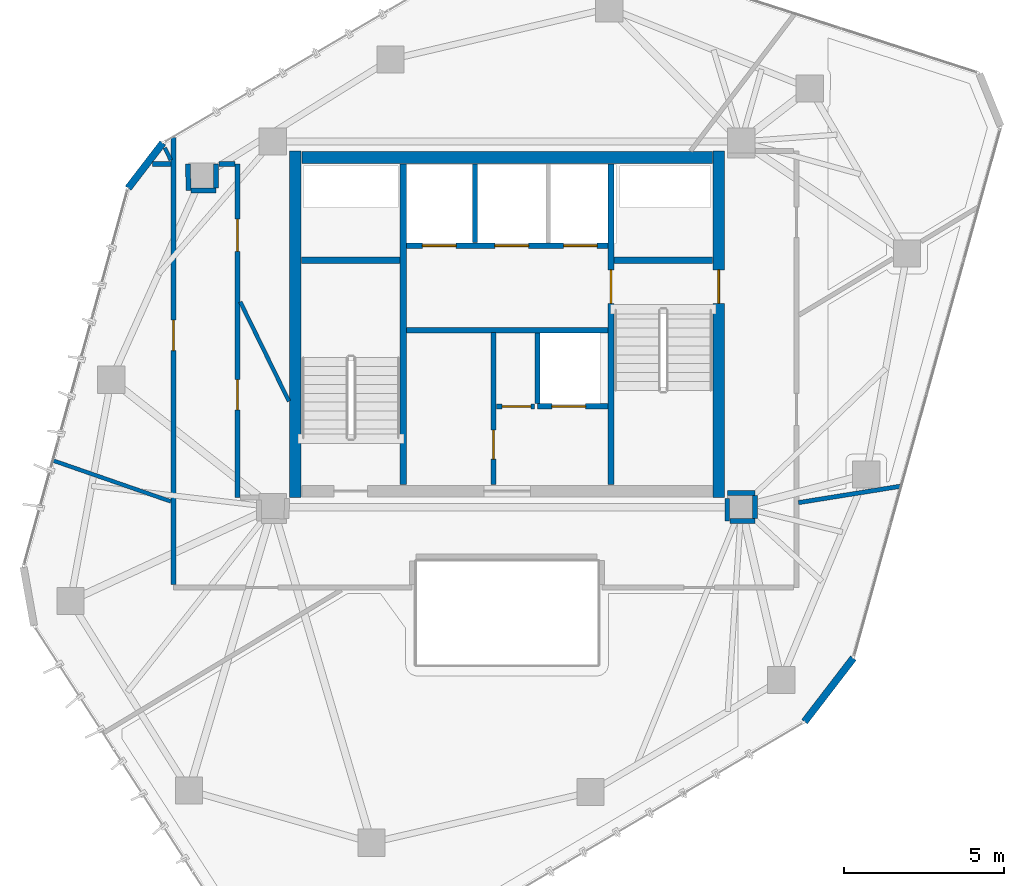
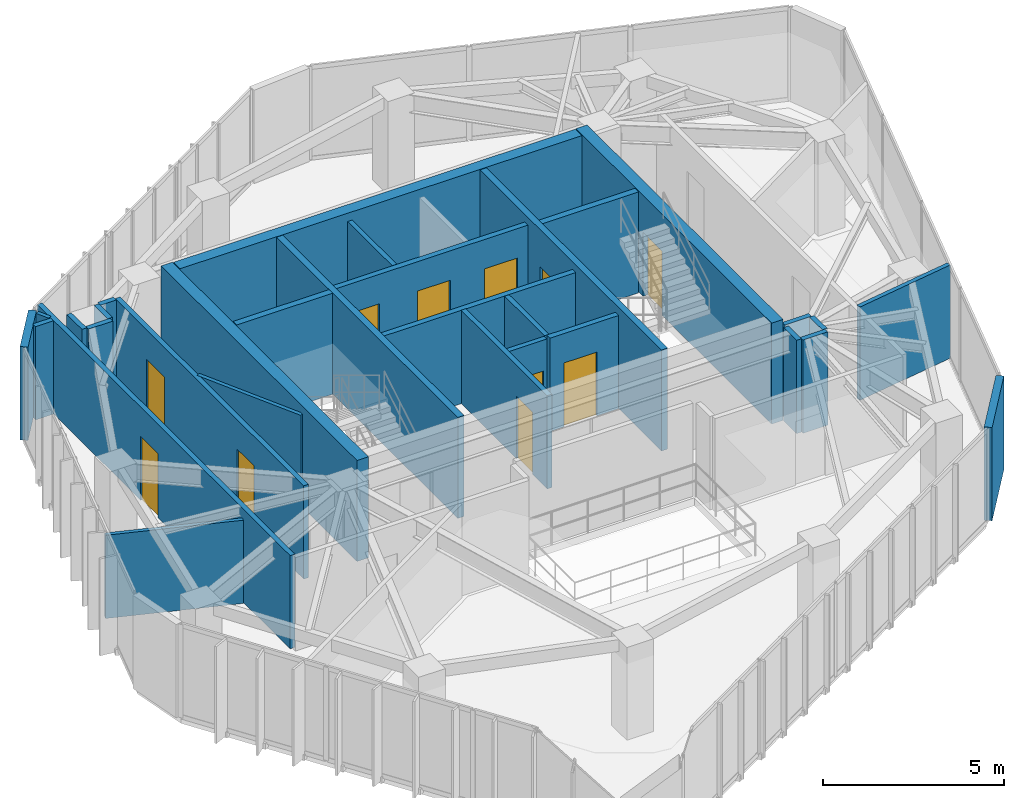
# One storey, part 17 of 20: 31 walls, 11 doors, 11 openings.
"""IFC4 building model written with IfcOpenShell, lengths in metres."""

from ifc_helpers import new_model, si_unit, direction, frame, frame_2d, origin, place, context, subcontext, project, spatial, rectangle, extrude, source, transform, mapped, material, layer, layer_set, type_object, type_shapes, element, fill, save


model = new_model("IFC4")

# Units and contexts
model_context = context("Model", 3, precision=1e-05, world=origin(), true_north=direction((0.0, 1.0)))
body_context = subcontext(model_context, "Body", "Model", "MODEL_VIEW")
ifc_project = project(units=[si_unit("LENGTHUNIT", "METRE"), si_unit("AREAUNIT", "SQUARE_METRE"), si_unit("VOLUMEUNIT", "CUBIC_METRE"), si_unit("PLANEANGLEUNIT", "RADIAN"), si_unit("MASSUNIT", "GRAM", prefix="KILO")], contexts=[model_context])

# Site, building, storey
site_placement = place(None, origin())
site = spatial("IfcSite", under=ifc_project, at=site_placement, CompositionType="ELEMENT")
building_placement = place(site_placement, origin())
building = spatial("IfcBuilding", under=site, at=building_placement, Name="Talar Marvaseh", CompositionType="ELEMENT")
storey_placement = place(building_placement, frame((0.0, 0.0, 254.39990234375)))
storey = spatial("IfcBuildingStorey", under=building, at=storey_placement, Name="L67", CompositionType="ELEMENT", Elevation=254.39990234375)

# Walls
ifc_material_1 = material(Name="Precast concrete C45/55", Category="concrete")
ifc_layer_1 = layer(ifc_material_1, 0.22509765625)
ifc_layer_set_1 = layer_set([ifc_layer_1], Name="Precast concrete C45/55")
wall_type_1 = type_object("IfcWallType", Name="Chamfered Hexagonal Corner Pier Wall Z4 225", PredefinedType="SOLIDWALL", material=ifc_layer_set_1)
wall_1_placement = place(storey_placement, frame((14.18701171875, 35.442138671875, 0.0), z_axis=(0.0, 0.0, 1.0), x_axis=(0.608782662784, 0.793337046591, 0.0)))
element("IfcWall", 1, at=wall_1_placement, inside=storey, type_object=wall_type_1, Name="L67 Chamfered Corner Limestone Pier 3", PredefinedType="SOLIDWALL", context=body_context, shape_type="SweptSolid", body=[
    extrude(rectangle(XDim=1.780517578125, YDim=0.22509765625, at=frame_2d((0.89013671875, 0.0))), origin(), (0.0, 0.0, 1.0), 3.14013671875),
])
wall_2_placement = place(storey_placement, frame((36.795166015625, 20.793701171875, 0.0), z_axis=(0.0, 0.0, 1.0), x_axis=(-0.60870597191, -0.79339589094, 0.0)))
element("IfcWall", 2, at=wall_2_placement, inside=storey, type_object=wall_type_1, Name="L67 Chamfered Corner Limestone Pier 6", PredefinedType="SOLIDWALL", context=body_context, shape_type="SweptSolid", body=[
    extrude(rectangle(XDim=2.50244140625, YDim=0.22509765625, at=frame_2d((1.251220703125, 0.0))), origin(), (0.0, 0.0, 1.0), 3.14013671875),
])

# Wall, opening, door
ifc_material_2 = material(Name="Gypsum Board Partition Assembly")
ifc_layer_2 = layer(ifc_material_2, 0.155029296875)
ifc_layer_set_2 = layer_set([ifc_layer_2], Name="Gypsum Board Partition Assembly")
wall_type_2 = type_object("IfcWallType", Name="Corridor Fire-Rated Acoustic Partition 155", PredefinedType="PARTITIONING", material=ifc_layer_set_2)
wall_3_placement = place(storey_placement, frame((25.580078125, 26.199951171875, 0.0), z_axis=(0.0, 0.0, 1.0), x_axis=(0.0, 1.0, 0.0)))
wall_3 = element("IfcWall", 3, at=wall_3_placement, inside=storey, type_object=wall_type_2, Name="L67 Core BOH Partition", PredefinedType="PARTITIONING", context=body_context, shape_type="SweptSolid", body=[
    extrude(rectangle(XDim=4.739990234375, YDim=0.155029296875, at=frame_2d((2.3701171875, 0.0))), origin(), (0.0, 0.0, 1.0), 3.14013671875),
])
opening_1_placement = place(wall_3_placement, frame((0.800048828125, 0.0, 0.0)))
opening_1 = element("IfcOpeningElement", 4, at=opening_1_placement, cuts=wall_3, Name="Opening DR-BOH090", PredefinedType="OPENING", context=body_context, shape_type="SweptSolid", body=[
    extrude(rectangle(XDim=0.89990234375, YDim=2.10009765625, at=frame_2d((0.449951171875, 1.050048828125))), frame((0.0, 0.08740234375, 0.0), z_axis=(0.0, -1.0, 0.0), x_axis=(1.0, 0.0, 0.0)), (0.0, 0.0, 1.0), 0.175048828125),
])
ifc_material_3 = material(Name="Fire-Rated Steel Door Leaf", Category="steel")
door_type_1 = type_object("IfcDoorType", Name="Core Back-of-House Service Door 900x2100", OperationType="NOTDEFINED", PredefinedType="DOOR", material=ifc_material_3)
shared_shape_1 = source(origin(), body_context, "Body", "SweptSolid", [
    extrude(rectangle(XDim=0.89990234375, YDim=2.10009765625, at=frame_2d((0.449951171875, 1.050048828125))), frame((0.0, 0.02490234375, 0.0), z_axis=(0.0, -1.0, 0.0), x_axis=(1.0, 0.0, 0.0)), (0.0, 0.0, 1.0), 0.050048828125),
])
type_shapes(door_type_1, [shared_shape_1])
door_1_placement = place(opening_1_placement, origin())
door_1 = element("IfcDoor", 5, at=door_1_placement, inside=storey, type_object=door_type_1, Name="L67 Store Sky Extended Archive Room Door", OperationType="SINGLE_SWING_LEFT", OverallHeight=2.10009765625, OverallWidth=0.89990234375, PredefinedType="DOOR", context=body_context, shape_type="MappedRepresentation", body=[
    mapped(shared_shape_1, transform((0.0, 0.0, 0.0), x_axis=(1.0, 0.0, 0.0), y_axis=(0.0, 1.0, 0.0), z_axis=(0.0, 0.0, 1.0), scale=1.0)),
])
fill(opening_1, door_1)

wall_4_placement = place(storey_placement, frame((25.66357421875, 28.639892578125, 0.0), z_axis=(0.0, 0.0, 1.0), x_axis=(1.0, 0.0, 0.0)))
wall_4 = element("IfcWall", 6, at=wall_4_placement, inside=storey, type_object=wall_type_2, Name="L67 Core BOH Partition", PredefinedType="PARTITIONING", context=body_context, shape_type="SweptSolid", body=[
    extrude(rectangle(XDim=1.196533203125, YDim=0.155029296875, at=frame_2d((0.59814453125, 0.0))), origin(), (0.0, 0.0, 1.0), 3.14013671875),
])
opening_2_placement = place(wall_4_placement, frame((0.179931640625, 0.0, 0.0)))
opening_2 = element("IfcOpeningElement", 7, at=opening_2_placement, cuts=wall_4, Name="Opening DR-BOH090", PredefinedType="OPENING", context=body_context, shape_type="SweptSolid", body=[
    extrude(rectangle(XDim=0.89990234375, YDim=2.10009765625, at=frame_2d((0.449951171875, 1.050048828125))), frame((0.0, 0.08740234375, 0.0), z_axis=(0.0, -1.0, 0.0), x_axis=(1.0, 0.0, 0.0)), (0.0, 0.0, 1.0), 0.175048828125),
])
door_2_placement = place(opening_2_placement, origin())
door_2 = element("IfcDoor", 8, at=door_2_placement, inside=storey, type_object=door_type_1, Name="L67 Cleaner Sky Closet Door", OperationType="SINGLE_SWING_RIGHT", OverallHeight=2.10009765625, OverallWidth=0.89990234375, PredefinedType="DOOR", context=body_context, shape_type="MappedRepresentation", body=[
    mapped(shared_shape_1, transform((0.0, 0.0, 0.0), x_axis=(1.0, 0.0, 0.0), y_axis=(0.0, 1.0, 0.0), z_axis=(0.0, 0.0, 1.0), scale=1.0)),
])
fill(opening_2, door_2)

# Wall, openings, doors
wall_5_placement = place(storey_placement, frame((17.60009765625, 36.199951171875, 0.0), z_axis=(0.0, 0.0, 1.0), x_axis=(0.0, -1.0, 0.0)))
wall_5 = element("IfcWall", 9, at=wall_5_placement, inside=storey, type_object=wall_type_2, Name="L67 Interior Partition Wall", PredefinedType="PARTITIONING", context=body_context, shape_type="SweptSolid", body=[
    extrude(rectangle(XDim=10.39990234375, YDim=0.155029296875, at=frame_2d((5.199951171875, 0.0))), origin(), (0.0, 0.0, 1.0), 3.14013671875),
])
opening_3_placement = place(wall_5_placement, frame((1.72509765625, 0.0, 0.0)))
opening_3 = element("IfcOpeningElement", 10, at=opening_3_placement, cuts=wall_5, Name="Opening DR-RM100", PredefinedType="OPENING", context=body_context, shape_type="SweptSolid", body=[
    extrude(rectangle(XDim=1.0, YDim=2.14990234375, at=frame_2d((0.5, 1.074951171875))), frame((0.0, 0.08740234375, 0.0), z_axis=(0.0, -1.0, 0.0), x_axis=(1.0, 0.0, 0.0)), (0.0, 0.0, 1.0), 0.175048828125),
])
opening_4_placement = place(wall_5_placement, frame((6.720947265625, 0.0, 0.0)))
opening_4 = element("IfcOpeningElement", 11, at=opening_4_placement, cuts=wall_5, Name="Opening DR-WC095", PredefinedType="OPENING", context=body_context, shape_type="SweptSolid", body=[
    extrude(rectangle(XDim=0.949951171875, YDim=2.14990234375, at=frame_2d((0.47509765625, 1.074951171875))), frame((0.0, 0.08740234375, 0.0), z_axis=(0.0, -1.0, 0.0), x_axis=(1.0, 0.0, 0.0)), (0.0, 0.0, 1.0), 0.175048828125),
])
ifc_material_4 = material(Name="Acoustic Engineered Oak Timber", Category="wood")
door_type_2 = type_object("IfcDoorType", Name="Washroom and Service Room Door 950x2150", OperationType="NOTDEFINED", PredefinedType="DOOR", material=ifc_material_4)
shared_shape_2 = source(origin(), body_context, "Body", "SweptSolid", [
    extrude(rectangle(XDim=0.949951171875, YDim=2.14990234375, at=frame_2d((0.47509765625, 1.074951171875))), frame((0.0, 0.02490234375, 0.0), z_axis=(0.0, -1.0, 0.0), x_axis=(1.0, 0.0, 0.0)), (0.0, 0.0, 1.0), 0.050048828125),
])
type_shapes(door_type_2, [shared_shape_2])
door_3_placement = place(opening_4_placement, origin())
door_3 = element("IfcDoor", 12, at=door_3_placement, inside=storey, type_object=door_type_2, Name="L67 WC Public Washrooms Door", OperationType="SINGLE_SWING_RIGHT", OverallHeight=2.14990234375, OverallWidth=0.949951171875, PredefinedType="DOOR", context=body_context, shape_type="MappedRepresentation", body=[
    mapped(shared_shape_2, transform((0.0, 0.0, 0.0), x_axis=(1.0, 0.0, 0.0), y_axis=(0.0, 1.0, 0.0), z_axis=(0.0, 0.0, 1.0), scale=1.0)),
])
fill(opening_4, door_3)
door_type_3 = type_object("IfcDoorType", Name="Corridor Fire-Rated Gallery Door 1000x2150", OperationType="NOTDEFINED", PredefinedType="DOOR", material=ifc_material_4)
shared_shape_3 = source(origin(), body_context, "Body", "SweptSolid", [
    extrude(rectangle(XDim=1.0, YDim=2.14990234375, at=frame_2d((0.5, 1.074951171875))), frame((0.0, 0.02490234375, 0.0), z_axis=(0.0, -1.0, 0.0), x_axis=(1.0, 0.0, 0.0)), (0.0, 0.0, 1.0), 0.050048828125),
])
type_shapes(door_type_3, [shared_shape_3])
door_4_placement = place(opening_3_placement, origin())
door_4 = element("IfcDoor", 13, at=door_4_placement, inside=storey, type_object=door_type_3, Name="L67 Archival Facsimile Boutique Door", OperationType="SINGLE_SWING_RIGHT", OverallHeight=2.14990234375, OverallWidth=1.0, PredefinedType="DOOR", context=body_context, shape_type="MappedRepresentation", body=[
    mapped(shared_shape_3, transform((0.0, 0.0, 0.0), x_axis=(1.0, 0.0, 0.0), y_axis=(0.0, 1.0, 0.0), z_axis=(0.0, 0.0, 1.0), scale=1.0)),
])
fill(opening_3, door_4)

# Wall, opening, door
wall_6_placement = place(storey_placement, frame((15.60009765625, 23.08349609375, 0.0), z_axis=(0.0, 0.0, 1.0), x_axis=(0.0, 1.0, 0.0)))
wall_6 = element("IfcWall", 14, at=wall_6_placement, inside=storey, type_object=wall_type_2, Name="L67 Interior Partition Wall", PredefinedType="PARTITIONING", context=body_context, shape_type="SweptSolid", body=[
    extrude(rectangle(XDim=13.94482421875, YDim=0.155029296875, at=frame_2d((6.972412109375, 0.0))), origin(), (0.0, 0.0, 1.0), 3.14013671875),
])
opening_5_placement = place(wall_6_placement, frame((7.2978515625, 0.0, 0.0)))
opening_5 = element("IfcOpeningElement", 15, at=opening_5_placement, cuts=wall_6, Name="Opening DR-WC095", PredefinedType="OPENING", context=body_context, shape_type="SweptSolid", body=[
    extrude(rectangle(XDim=0.949951171875, YDim=2.14990234375, at=frame_2d((0.47509765625, 1.074951171875))), frame((0.0, 0.08740234375, 0.0), z_axis=(0.0, -1.0, 0.0), x_axis=(1.0, 0.0, 0.0)), (0.0, 0.0, 1.0), 0.175048828125),
])
door_5_placement = place(opening_5_placement, origin())
door_5 = element("IfcDoor", 16, at=door_5_placement, inside=storey, type_object=door_type_2, Name="L67 Accessible WC Door", OperationType="SINGLE_SWING_LEFT", OverallHeight=2.14990234375, OverallWidth=0.949951171875, PredefinedType="DOOR", context=body_context, shape_type="MappedRepresentation", body=[
    mapped(shared_shape_2, transform((0.0, 0.0, 0.0), x_axis=(1.0, 0.0, 0.0), y_axis=(0.0, 1.0, 0.0), z_axis=(0.0, 0.0, 1.0), scale=1.0)),
])
fill(opening_5, door_5)

# Walls
wall_7_placement = place(storey_placement, frame((16.053955078125, 36.199951171875, 0.0), z_axis=(0.0, 0.0, 1.0), x_axis=(0.018168161375, -0.999834945335, 0.0)))
element("IfcWall", 17, at=wall_7_placement, inside=storey, type_object=wall_type_2, Name="L67 Interior Partition Wall", PredefinedType="PARTITIONING", context=body_context, shape_type="SweptSolid", body=[
    extrude(rectangle(XDim=0.833251953125, YDim=0.155029296875, at=frame_2d((0.41650390625, 0.0))), origin(), (0.0, 0.0, 1.0), 3.14013671875),
])
wall_8_placement = place(storey_placement, frame((16.152587890625, 35.3671875, 0.0), z_axis=(0.0, 0.0, 1.0), x_axis=(0.999997558852, 0.002209590566, 0.0)))
element("IfcWall", 18, at=wall_8_placement, inside=storey, type_object=wall_type_2, Name="L67 Interior Partition Wall", PredefinedType="PARTITIONING", context=body_context, shape_type="SweptSolid", body=[
    extrude(rectangle(XDim=0.7734375, YDim=0.155029296875, at=frame_2d((0.38671875, 0.0))), origin(), (0.0, 0.0, 1.0), 3.14013671875),
])
wall_9_placement = place(storey_placement, frame((16.927001953125, 35.452392578125, 0.0), z_axis=(0.0, 0.0, 1.0), x_axis=(0.009470509294, 0.999955153721, 0.0)))
element("IfcWall", 19, at=wall_9_placement, inside=storey, type_object=wall_type_2, Name="L67 Interior Partition Wall", PredefinedType="PARTITIONING", context=body_context, shape_type="SweptSolid", body=[
    extrude(rectangle(XDim=0.74755859375, YDim=0.155029296875, at=frame_2d((0.373779296875, 0.0))), origin(), (0.0, 0.0, 1.0), 3.14013671875),
])
wall_10_placement = place(storey_placement, frame((17.017578125, 36.199951171875, 0.0), z_axis=(0.0, 0.0, 1.0), x_axis=(1.0, 0.0, 0.0)))
element("IfcWall", 20, at=wall_10_placement, inside=storey, type_object=wall_type_2, Name="L67 Interior Partition Wall", PredefinedType="PARTITIONING", context=body_context, shape_type="SweptSolid", body=[
    extrude(rectangle(XDim=0.4990234375, YDim=0.155029296875, at=frame_2d((0.24951171875, 0.0))), origin(), (0.0, 0.0, 1.0), 3.14013671875),
])
wall_11_placement = place(storey_placement, frame((14.9453125, 36.199951171875, 0.0), z_axis=(0.0, 0.0, 1.0), x_axis=(1.0, 0.0, 0.0)))
element("IfcWall", 21, at=wall_11_placement, inside=storey, type_object=wall_type_2, Name="L67 Interior Partition Wall", PredefinedType="PARTITIONING", context=body_context, shape_type="SweptSolid", body=[
    extrude(rectangle(XDim=0.5712890625, YDim=0.155029296875, at=frame_2d((0.28564453125, 0.0))), origin(), (0.0, 0.0, 1.0), 3.14013671875),
])
wall_12_placement = place(storey_placement, frame((33.72509765625, 25.93994140625, 0.0), z_axis=(0.0, 0.0, 1.0), x_axis=(-0.999986790873, -0.005139852152, 0.0)))
element("IfcWall", 22, at=wall_12_placement, inside=storey, type_object=wall_type_2, Name="L67 Interior Partition Wall", PredefinedType="PARTITIONING", context=body_context, shape_type="SweptSolid", body=[
    extrude(rectangle(XDim=0.85498046875, YDim=0.155029296875, at=frame_2d((0.427490234375, 0.0))), origin(), (0.0, 0.0, 1.0), 3.14013671875),
])
wall_13_placement = place(storey_placement, frame((32.864501953125, 25.772705078125, 0.0), z_axis=(0.0, 0.0, 1.0), x_axis=(0.0, -1.0, 0.0)))
element("IfcWall", 23, at=wall_13_placement, inside=storey, type_object=wall_type_2, Name="L67 Interior Partition Wall", PredefinedType="PARTITIONING", context=body_context, shape_type="SweptSolid", body=[
    extrude(rectangle(XDim=0.708251953125, YDim=0.155029296875, at=frame_2d((0.35400390625, 0.0))), origin(), (0.0, 0.0, 1.0), 3.14013671875),
])
wall_14_placement = place(storey_placement, frame((32.947998046875, 25.064453125, 0.0), z_axis=(0.0, 0.0, 1.0), x_axis=(1.0, 0.0, 0.0)))
element("IfcWall", 24, at=wall_14_placement, inside=storey, type_object=wall_type_2, Name="L67 Interior Partition Wall", PredefinedType="PARTITIONING", context=body_context, shape_type="SweptSolid", body=[
    extrude(rectangle(XDim=0.78759765625, YDim=0.155029296875, at=frame_2d((0.393798828125, 0.0))), origin(), (0.0, 0.0, 1.0), 3.14013671875),
])
wall_15_placement = place(storey_placement, frame((33.734619140625, 25.14794921875, 0.0), z_axis=(0.0, 0.0, 1.0), x_axis=(-0.012059770759, 0.99992727832, 0.0)))
element("IfcWall", 25, at=wall_15_placement, inside=storey, type_object=wall_type_2, Name="L67 Interior Partition Wall", PredefinedType="PARTITIONING", context=body_context, shape_type="SweptSolid", body=[
    extrude(rectangle(XDim=0.70849609375, YDim=0.155029296875, at=frame_2d((0.354248046875, 0.0))), origin(), (0.0, 0.0, 1.0), 3.14013671875),
])
ifc_layer_3 = layer(ifc_material_2, 0.1201171875)
ifc_layer_set_3 = layer_set([ifc_layer_3], Name="Gypsum Board Partition Assembly")
wall_type_3 = type_object("IfcWallType", Name="Demountable Studio Room Partition 120", PredefinedType="PARTITIONING", material=ifc_layer_set_3)
wall_16_placement = place(storey_placement, frame((11.863525390625, 26.94775390625, 0.0), z_axis=(0.0, 0.0, 1.0), x_axis=(0.944644045186, -0.328096979405, 0.0)))
element("IfcWall", 26, at=wall_16_placement, inside=storey, type_object=wall_type_3, Name="L67 Interior Partition Wall", PredefinedType="PARTITIONING", context=body_context, shape_type="SweptSolid", body=[
    extrude(rectangle(XDim=3.8671875, YDim=0.1201171875, at=frame_2d((1.93359375, 0.0))), origin(), (0.0, 0.0, 1.0), 2.802001953125),
])
wall_17_placement = place(storey_placement, frame((15.5166015625, 36.320556640625, 0.0), z_axis=(0.0, 0.0, 1.0), x_axis=(-0.439991812782, 0.898001784344, 0.0)))
element("IfcWall", 27, at=wall_17_placement, inside=storey, type_object=wall_type_3, Name="L67 Interior Partition Wall", PredefinedType="PARTITIONING", context=body_context, shape_type="SweptSolid", body=[
    extrude(rectangle(XDim=0.419921875, YDim=0.1201171875, at=frame_2d((0.2099609375, 0.0))), origin(), (0.0, 0.0, 1.0), 3.14013671875),
])
wall_18_placement = place(storey_placement, frame((19.199951171875, 28.800048828125, 0.0), z_axis=(0.0, 0.0, 1.0), x_axis=(-0.439470269492, 0.898257135921, 0.0)))
element("IfcWall", 28, at=wall_18_placement, inside=storey, type_object=wall_type_3, Name="L67 Interior Partition Wall", PredefinedType="PARTITIONING", context=body_context, shape_type="SweptSolid", body=[
    extrude(rectangle(XDim=3.450439453125, YDim=0.1201171875, at=frame_2d((1.72509765625, 0.0))), origin(), (0.0, 0.0, 1.0), 3.14013671875),
])
ifc_layer_4 = layer(ifc_material_1, 0.14501953125)
ifc_layer_set_4 = layer_set([ifc_layer_4], Name="Precast concrete C45/55")
wall_type_4 = type_object("IfcWallType", Name="Fire-Rated Lift Divider Wall 145", PredefinedType="SOLIDWALL", material=ifc_layer_set_4)
wall_19_placement = place(storey_placement, frame((25.0, 33.743408203125, 0.0), z_axis=(0.0, 0.0, 1.0), x_axis=(0.0, 1.0, 0.0)))
element("IfcWall", 29, at=wall_19_placement, inside=storey, type_object=wall_type_4, Name="L67 FFL-1/FFL-2 Divider", PredefinedType="SOLIDWALL", context=body_context, shape_type="SweptSolid", body=[
    extrude(rectangle(XDim=2.45654296875, YDim=0.14501953125, at=frame_2d((1.228271484375, 0.0))), origin(), (0.0, 0.0, 1.0), 3.14013671875),
])
wall_20_placement = place(storey_placement, frame((26.949951171875, 28.7333984375, 0.0), z_axis=(0.0, 0.0, 1.0), x_axis=(0.0, 1.0, 0.0)))
element("IfcWall", 30, at=wall_20_placement, inside=storey, type_object=wall_type_4, Name="L67 PL-H3 West Shaft Wall", PredefinedType="SOLIDWALL", context=body_context, shape_type="SweptSolid", body=[
    extrude(rectangle(XDim=2.193115234375, YDim=0.14501953125, at=frame_2d((1.0966796875, 0.0))), origin(), (0.0, 0.0, 1.0), 3.14013671875),
])

# Wall, openings, doors
ifc_layer_5 = layer(ifc_material_1, 0.175048828125)
ifc_layer_set_5 = layer_set([ifc_layer_5], Name="Precast concrete C45/55")
wall_type_5 = type_object("IfcWallType", Name="Fire-Rated Lift Hoistway Enclosure Wall 175", PredefinedType="SOLIDWALL", material=ifc_layer_set_5)
wall_21_placement = place(storey_placement, frame((22.860107421875, 33.64990234375, 0.0), z_axis=(0.0, 0.0, 1.0), x_axis=(1.0, 0.0, 0.0)))
wall_21 = element("IfcWall", 31, at=wall_21_placement, inside=storey, type_object=wall_type_5, Name="L67 Firefighting and Service Lift Front Wall", PredefinedType="SOLIDWALL", context=body_context, shape_type="SweptSolid", body=[
    extrude(rectangle(XDim=6.27978515625, YDim=0.175048828125, at=frame_2d((3.139892578125, 0.0))), origin(), (0.0, 0.0, 1.0), 3.14013671875),
])
opening_6_placement = place(wall_21_placement, frame((0.5, 0.0, 0.0)))
opening_6 = element("IfcOpeningElement", 32, at=opening_6_placement, cuts=wall_21, Name="Opening LD-FF1", PredefinedType="OPENING", context=body_context, shape_type="SweptSolid", body=[
    extrude(rectangle(XDim=1.050048828125, YDim=2.14990234375, at=frame_2d((0.52490234375, 1.074951171875))), frame((0.0, 0.09765625, 0.0), z_axis=(0.0, -1.0, 0.0), x_axis=(1.0, 0.0, 0.0)), (0.0, 0.0, 1.0), 0.195068359375),
])
opening_7_placement = place(wall_21_placement, frame((2.760009765625, 0.0, 0.0)))
opening_7 = element("IfcOpeningElement", 33, at=opening_7_placement, cuts=wall_21, Name="Opening LD-FF2", PredefinedType="OPENING", context=body_context, shape_type="SweptSolid", body=[
    extrude(rectangle(XDim=1.050048828125, YDim=2.14990234375, at=frame_2d((0.52490234375, 1.074951171875))), frame((0.0, 0.09765625, 0.0), z_axis=(0.0, -1.0, 0.0), x_axis=(1.0, 0.0, 0.0)), (0.0, 0.0, 1.0), 0.195068359375),
])
opening_8_placement = place(wall_21_placement, frame((4.89990234375, 0.0, 0.0)))
opening_8 = element("IfcOpeningElement", 34, at=opening_8_placement, cuts=wall_21, Name="Opening LD-SV1", PredefinedType="OPENING", context=body_context, shape_type="SweptSolid", body=[
    extrude(rectangle(XDim=1.050048828125, YDim=2.14990234375, at=frame_2d((0.52490234375, 1.074951171875))), frame((0.0, 0.09765625, 0.0), z_axis=(0.0, -1.0, 0.0), x_axis=(1.0, 0.0, 0.0)), (0.0, 0.0, 1.0), 0.195068359375),
])
ifc_material_5 = material(Name="Stainless Steel Grade 316", Category="steel")
door_type_4 = type_object("IfcDoorType", Name="Automatic Sliding Lift Landing Door 1050x2150", OperationType="NOTDEFINED", PredefinedType="DOOR", material=ifc_material_5)
shared_shape_4 = source(origin(), body_context, "Body", "SweptSolid", [
    extrude(rectangle(XDim=1.050048828125, YDim=2.14990234375, at=frame_2d((0.52490234375, 1.074951171875))), frame((0.0, 0.02490234375, 0.0), z_axis=(0.0, -1.0, 0.0), x_axis=(1.0, 0.0, 0.0)), (0.0, 0.0, 1.0), 0.050048828125),
])
type_shapes(door_type_4, [shared_shape_4])
door_6_placement = place(opening_6_placement, origin())
door_6 = element("IfcDoor", 35, at=door_6_placement, inside=storey, type_object=door_type_4, Name="L67 Lift FFL-1 Sliding Landing Door", OperationType="SLIDING_TO_LEFT", OverallHeight=2.14990234375, OverallWidth=1.050048828125, PredefinedType="DOOR", context=body_context, shape_type="MappedRepresentation", body=[
    mapped(shared_shape_4, transform((0.0, 0.0, 0.0), x_axis=(1.0, 0.0, 0.0), y_axis=(0.0, 1.0, 0.0), z_axis=(0.0, 0.0, 1.0), scale=1.0)),
])
fill(opening_6, door_6)
door_7_placement = place(opening_7_placement, origin())
door_7 = element("IfcDoor", 36, at=door_7_placement, inside=storey, type_object=door_type_4, Name="L67 Lift FFL-2 Sliding Landing Door", OperationType="SLIDING_TO_LEFT", OverallHeight=2.14990234375, OverallWidth=1.050048828125, PredefinedType="DOOR", context=body_context, shape_type="MappedRepresentation", body=[
    mapped(shared_shape_4, transform((0.0, 0.0, 0.0), x_axis=(1.0, 0.0, 0.0), y_axis=(0.0, 1.0, 0.0), z_axis=(0.0, 0.0, 1.0), scale=1.0)),
])
fill(opening_7, door_7)
door_8_placement = place(opening_8_placement, origin())
door_8 = element("IfcDoor", 37, at=door_8_placement, inside=storey, type_object=door_type_4, Name="L67 Lift SVL-1 Sliding Landing Door", OperationType="SLIDING_TO_LEFT", OverallHeight=2.14990234375, OverallWidth=1.050048828125, PredefinedType="DOOR", context=body_context, shape_type="MappedRepresentation", body=[
    mapped(shared_shape_4, transform((0.0, 0.0, 0.0), x_axis=(1.0, 0.0, 0.0), y_axis=(0.0, 1.0, 0.0), z_axis=(0.0, 0.0, 1.0), scale=1.0)),
])
fill(opening_8, door_8)

# Wall
wall_22_placement = place(storey_placement, frame((22.860107421875, 31.02001953125, 0.0), z_axis=(0.0, 0.0, 1.0), x_axis=(1.0, 0.0, 0.0)))
element("IfcWall", 38, at=wall_22_placement, inside=storey, type_object=wall_type_5, Name="L67 Firefighting Lobby South Smoke Wall", PredefinedType="SOLIDWALL", context=body_context, shape_type="SweptSolid", body=[
    extrude(rectangle(XDim=6.27978515625, YDim=0.175048828125, at=frame_2d((3.139892578125, 0.0))), origin(), (0.0, 0.0, 1.0), 3.14013671875),
])

# Wall, opening, door
wall_23_placement = place(storey_placement, frame((26.949951171875, 28.639892578125, 0.0), z_axis=(0.0, 0.0, 1.0), x_axis=(1.0, 0.0, 0.0)))
wall_23 = element("IfcWall", 39, at=wall_23_placement, inside=storey, type_object=wall_type_5, Name="L67 Sky Express Lift Front Wall", PredefinedType="SOLIDWALL", context=body_context, shape_type="SweptSolid", body=[
    extrude(rectangle(XDim=2.18994140625, YDim=0.175048828125, at=frame_2d((1.094970703125, 0.0))), origin(), (0.0, 0.0, 1.0), 3.14013671875),
])
opening_9_placement = place(wall_23_placement, frame((0.449951171875, 0.0, 0.0)))
opening_9 = element("IfcOpeningElement", 40, at=opening_9_placement, cuts=wall_23, Name="Opening LD-PLH3", PredefinedType="OPENING", context=body_context, shape_type="SweptSolid", body=[
    extrude(rectangle(XDim=1.050048828125, YDim=2.14990234375, at=frame_2d((0.52490234375, 1.074951171875))), frame((0.0, 0.09765625, 0.0), z_axis=(0.0, -1.0, 0.0), x_axis=(1.0, 0.0, 0.0)), (0.0, 0.0, 1.0), 0.195068359375),
])
door_9_placement = place(opening_9_placement, origin())
door_9 = element("IfcDoor", 41, at=door_9_placement, inside=storey, type_object=door_type_4, Name="L67 Lift PL-H3 Sliding Landing Door", OperationType="SLIDING_TO_LEFT", OverallHeight=2.14990234375, OverallWidth=1.050048828125, PredefinedType="DOOR", context=body_context, shape_type="MappedRepresentation", body=[
    mapped(shared_shape_4, transform((0.0, 0.0, 0.0), x_axis=(1.0, 0.0, 0.0), y_axis=(0.0, 1.0, 0.0), z_axis=(0.0, 0.0, 1.0), scale=1.0)),
])
fill(opening_9, door_9)

# Walls
ifc_layer_6 = layer(ifc_material_2, 0.135009765625)
ifc_layer_set_6 = layer_set([ifc_layer_6], Name="Gypsum Board Partition Assembly")
wall_type_6 = type_object("IfcWallType", Name="Gallery High-Acoustic Partition 135", PredefinedType="PARTITIONING", material=ifc_layer_set_6)
wall_24_placement = place(storey_placement, frame((35.084228515625, 25.640380859375, 0.0), z_axis=(0.0, 0.0, 1.0), x_axis=(0.987346279038, 0.15857908207, 0.0)))
element("IfcWall", 42, at=wall_24_placement, inside=storey, type_object=wall_type_6, Name="L67 Interior Partition Wall", PredefinedType="PARTITIONING", context=body_context, shape_type="SweptSolid", body=[
    extrude(rectangle(XDim=3.21923828125, YDim=0.135009765625, at=frame_2d((1.609619140625, 0.0))), origin(), (0.0, 0.0, 1.0), 3.14013671875),
])
ifc_material_6 = material(Name="Concrete C50/60", Category="concrete")
ifc_layer_7 = layer(ifc_material_6, 0.199951171875)
ifc_layer_set_7 = layer_set([ifc_layer_7], Name="Concrete C50/60")
wall_type_7 = type_object("IfcWallType", Name="Stair Shaft Structural Concrete Shear Wall 200", PredefinedType="SHEAR", material=ifc_layer_set_7)
wall_25_placement = place(storey_placement, frame((22.760009765625, 26.199951171875, 0.0), z_axis=(0.0, 0.0, 1.0), x_axis=(0.0, 1.0, 0.0)))
element("IfcWall", 43, at=wall_25_placement, inside=storey, type_object=wall_type_7, Name="L67 Core West Stair Shear Wall", PredefinedType="SHEAR", context=body_context, shape_type="SweptSolid", body=[
    extrude(rectangle(XDim=10.0, YDim=0.199951171875, at=frame_2d((5.0, 0.0))), origin(), (0.0, 0.0, 1.0), 3.400146484375),
])

# Wall, opening, door
wall_26_placement = place(storey_placement, frame((29.239990234375, 26.199951171875, 0.0), z_axis=(0.0, 0.0, 1.0), x_axis=(0.0, 1.0, 0.0)))
wall_26 = element("IfcWall", 44, at=wall_26_placement, inside=storey, type_object=wall_type_7, Name="L67 Core East Stair Shear Wall", PredefinedType="SHEAR", context=body_context, shape_type="SweptSolid", body=[
    extrude(rectangle(XDim=10.0, YDim=0.199951171875, at=frame_2d((5.0, 0.0))), origin(), (0.0, 0.0, 1.0), 3.400146484375),
])
opening_10_placement = place(wall_26_placement, frame((5.64990234375, 0.0, 0.0)))
opening_10 = element("IfcOpeningElement", 45, at=opening_10_placement, cuts=wall_26, Name="Opening DR-ST105", PredefinedType="OPENING", context=body_context, shape_type="SweptSolid", body=[
    extrude(rectangle(XDim=1.050048828125, YDim=2.14990234375, at=frame_2d((0.52490234375, 1.074951171875))), frame((0.0, 0.10986328125, 0.0), z_axis=(0.0, -1.0, 0.0), x_axis=(1.0, 0.0, 0.0)), (0.0, 0.0, 1.0), 0.219970703125),
])
door_type_5 = type_object("IfcDoorType", Name="Protected Exit Stair Fire Door 1050x2150", OperationType="NOTDEFINED", PredefinedType="DOOR", material=ifc_material_3)
shared_shape_5 = source(origin(), body_context, "Body", "SweptSolid", [
    extrude(rectangle(XDim=1.050048828125, YDim=2.14990234375, at=frame_2d((0.52490234375, 1.074951171875))), frame((0.0, 0.02490234375, 0.0), z_axis=(0.0, -1.0, 0.0), x_axis=(1.0, 0.0, 0.0)), (0.0, 0.0, 1.0), 0.050048828125),
])
type_shapes(door_type_5, [shared_shape_5])
door_10_placement = place(opening_10_placement, origin())
door_10 = element("IfcDoor", 46, at=door_10_placement, inside=storey, type_object=door_type_5, Name="L67 Firefighting Lobby to Stair ST-2 Door", OperationType="SINGLE_SWING_LEFT", OverallHeight=2.14990234375, OverallWidth=1.050048828125, PredefinedType="DOOR", context=body_context, shape_type="MappedRepresentation", body=[
    mapped(shared_shape_5, transform((0.0, 0.0, 0.0), x_axis=(1.0, 0.0, 0.0), y_axis=(0.0, 1.0, 0.0), z_axis=(0.0, 0.0, 1.0), scale=1.0)),
])
fill(opening_10, door_10)

# Walls
for number, where, z_axis, x_axis, name in (
    (47, (19.60009765625, 33.199951171875, 0.0), (0.0, 0.0, 1.0), (1.0, 0.0, 0.0), "L67 Stair ST-1 North Shear Wall"),
    (48, (29.340087890625, 33.199951171875, 0.0), (0.0, 0.0, 1.0), (1.0, 0.0, 0.0), "L67 Stair ST-2 North Shear Wall"),
):
    element("IfcWall", number, at=place(storey_placement, frame(where, z_axis=z_axis, x_axis=x_axis)), inside=storey, type_object=wall_type_7, Name=name, PredefinedType="SHEAR", context=body_context, shape_type="SweptSolid", body=[
        extrude(rectangle(XDim=3.059814453125, YDim=0.199951171875, at=frame_2d((1.52978515625, 0.0))), origin(), (0.0, 0.0, 1.0), 3.400146484375),
    ])
ifc_layer_8 = layer(ifc_material_6, 0.360107421875)
ifc_layer_set_8 = layer_set([ifc_layer_8], Name="Concrete C50/60")
wall_type_8 = type_object("IfcWallType", Name="Upper Core Reinforced Concrete Shear Wall 360", PredefinedType="SHEAR", material=ifc_layer_set_8)
wall_27_placement = place(storey_placement, frame((19.39990234375, 25.800048828125, 0.0), z_axis=(0.0, 0.0, 1.0), x_axis=(0.0, 1.0, 0.0)))
element("IfcWall", 49, at=wall_27_placement, inside=storey, type_object=wall_type_8, Name="L67 West Core Shear Wall", PredefinedType="SHEAR", context=body_context, shape_type="SweptSolid", body=[
    extrude(rectangle(XDim=10.800048828125, YDim=0.360107421875, at=frame_2d((5.39990234375, 0.0))), origin(), (0.0, 0.0, 1.0), 3.400146484375),
])

# Wall, opening, door
wall_28_placement = place(storey_placement, frame((32.60009765625, 36.60009765625, 0.0), z_axis=(0.0, 0.0, 1.0), x_axis=(0.0, -1.0, 0.0)))
wall_28 = element("IfcWall", 50, at=wall_28_placement, inside=storey, type_object=wall_type_8, Name="L67 East Core Shear Wall", PredefinedType="SHEAR", context=body_context, shape_type="SweptSolid", body=[
    extrude(rectangle(XDim=10.800048828125, YDim=0.360107421875, at=frame_2d((5.39990234375, 0.0))), origin(), (0.0, 0.0, 1.0), 3.400146484375),
])
opening_11_placement = place(wall_28_placement, frame((3.699951171875, 0.0, 0.0)))
opening_11 = element("IfcOpeningElement", 51, at=opening_11_placement, cuts=wall_28, Name="Opening DR-ST105", PredefinedType="OPENING", context=body_context, shape_type="SweptSolid", body=[
    extrude(rectangle(XDim=1.050048828125, YDim=2.14990234375, at=frame_2d((0.52490234375, 1.074951171875))), frame((0.0, 0.18994140625, 0.0), z_axis=(0.0, -1.0, 0.0), x_axis=(1.0, 0.0, 0.0)), (0.0, 0.0, 1.0), 0.380126953125),
])
door_11_placement = place(opening_11_placement, origin())
door_11 = element("IfcDoor", 52, at=door_11_placement, inside=storey, type_object=door_type_5, Name="L67 Stair ST-2 Corridor Exit Door", OperationType="SINGLE_SWING_LEFT", OverallHeight=2.14990234375, OverallWidth=1.050048828125, PredefinedType="DOOR", context=body_context, shape_type="MappedRepresentation", body=[
    mapped(shared_shape_5, transform((0.0, 0.0, 0.0), x_axis=(1.0, 0.0, 0.0), y_axis=(0.0, 1.0, 0.0), z_axis=(0.0, 0.0, 1.0), scale=1.0)),
])
fill(opening_11, door_11)

# Wall
wall_29_placement = place(storey_placement, frame((19.60009765625, 36.39990234375, 0.0), z_axis=(0.0, 0.0, 1.0), x_axis=(1.0, 0.0, 0.0)))
element("IfcWall", 53, at=wall_29_placement, inside=storey, type_object=wall_type_8, Name="L67 North Core Shear Wall", PredefinedType="SHEAR", context=body_context, shape_type="SweptSolid", body=[
    extrude(rectangle(XDim=12.7998046875, YDim=0.360107421875, at=frame_2d((6.39990234375, 0.0))), origin(), (0.0, 0.0, 1.0), 3.400146484375),
])

save(model, "model.ifc")
